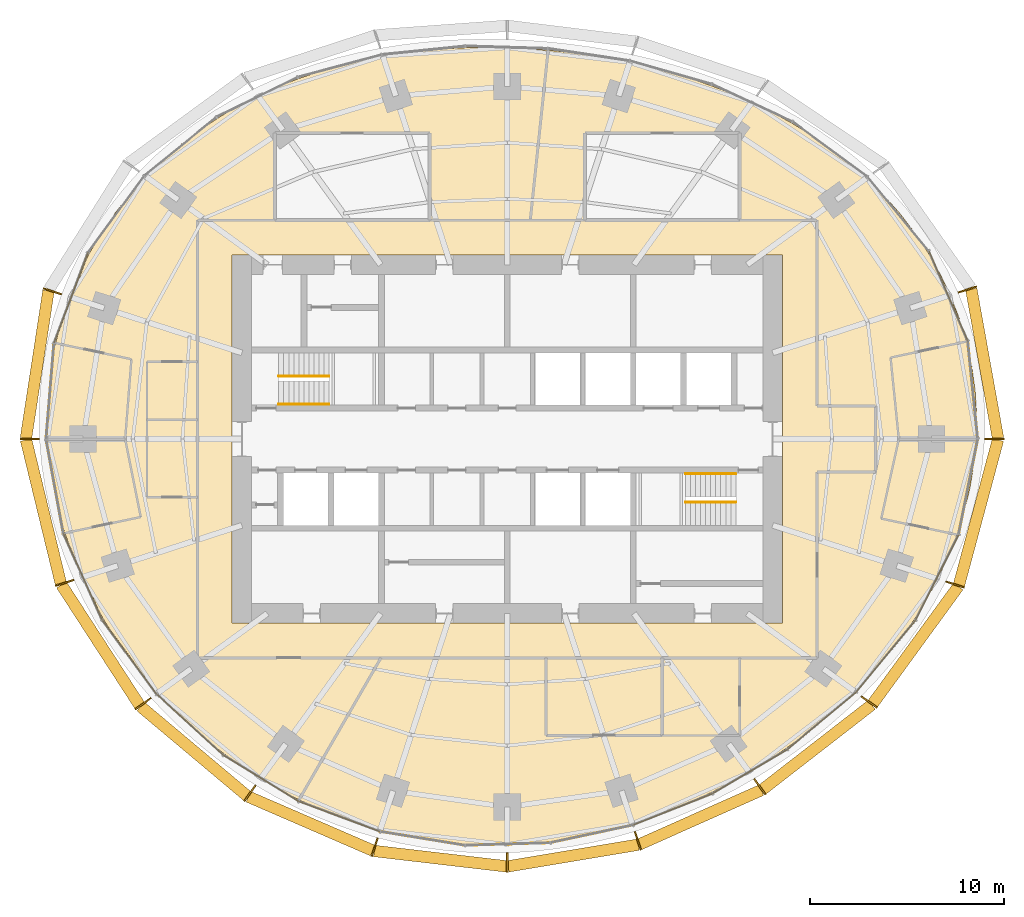
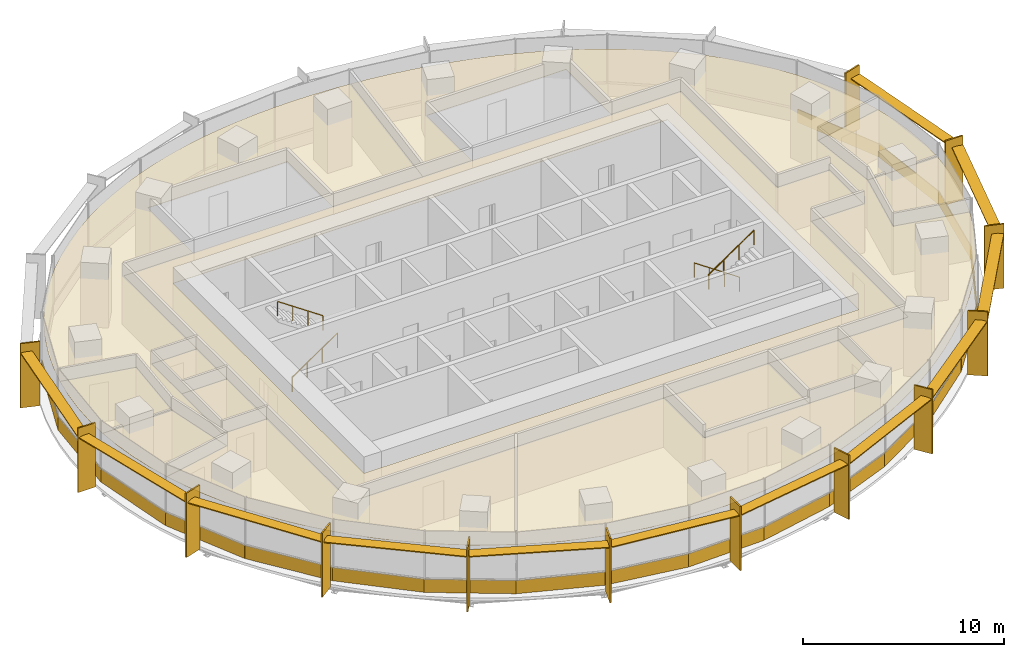
# One storey, part 13 of 14: 30 coverings, 25 shading devices, 4 railings.
"""IFC4 building model written with IfcOpenShell, lengths in metres."""

from ifc_helpers import new_model, si_unit, direction, frame, origin, origin_2d, place, context, subcontext, project, spatial, polyline, rectangle, circle, outline, extrude, material, layer, layer_set, type_object, element, save


model = new_model("IFC4")

# Units and contexts
model_context = context("Model", 3, precision=1e-05, world=origin(), true_north=direction((0.0, 1.0)))
body_context = subcontext(model_context, "Body", "Model", "MODEL_VIEW")
ifc_project = project(units=[si_unit("LENGTHUNIT", "METRE"), si_unit("AREAUNIT", "SQUARE_METRE"), si_unit("VOLUMEUNIT", "CUBIC_METRE"), si_unit("PLANEANGLEUNIT", "RADIAN"), si_unit("MASSUNIT", "GRAM", prefix="KILO")], contexts=[model_context])

# Site, building, storey
site_placement = place(None, origin())
site = spatial("IfcSite", under=ifc_project, at=site_placement, CompositionType="ELEMENT")
building_placement = place(site_placement, origin())
building = spatial("IfcBuilding", under=site, at=building_placement, Name="Marramba Exchange Tower", CompositionType="ELEMENT")
storey_placement = place(building_placement, frame((0.0, 0.0, 176.0)))
storey = spatial("IfcBuildingStorey", under=building, at=storey_placement, Name="L42", CompositionType="ELEMENT", Elevation=176.0)

# Shading devices
ifc_material_1 = material(Name="Aluminium blade, timber-look bronze finish", Category="wood")
ifc_layer_1 = layer(ifc_material_1, 0.080078125)
ifc_layer_set_1 = layer_set([ifc_layer_1], Name="Floor-edge blade 1000x80")
shading_device_type_1 = type_object("IfcShadingDeviceType", Name="Floor-edge blade 1000x80", PredefinedType="USERDEFINED", material=ifc_layer_set_1)
for number, where, z_axis, x_axis, name in (
    (1, (25.14404296875, 0.0, -0.159912109375), (0.0, 0.0, 1.0), (1.0, 0.0, 0.0), "Floor-edge blade FB1 L42 TC01"),
    (2, (23.757080078125, 7.718994140625, -0.159912109375), (0.0, 0.0, 1.0), (0.951056516295, 0.309016994375, 0.0), "Floor-edge blade FB1 L42 TC02"),
    (3, (-23.488525390625, 7.6318359375, -0.159912109375), (0.0, 0.0, 1.0), (-0.951056516295, 0.309016994375, 0.0), "Floor-edge blade FB1 L42 TC10"),
    (4, (-24.656005859375, 0.0, -0.159912109375), (0.0, 0.0, 1.0), (-1.0, 0.0, 0.0), "Floor-edge blade FB1 L42 TC11"),
    (5, (-22.848876953125, -7.424072265625, -0.159912109375), (0.0, 0.0, 1.0), (-0.951056516295, -0.309016994375, 0.0), "Floor-edge blade FB1 L42 TC12"),
    (6, (-18.7998046875, -13.658935546875, -0.159912109375), (0.0, 0.0, 1.0), (-0.809016994375, -0.587785252292, 0.0), "Floor-edge blade FB1 L42 TC13"),
    (7, (-13.2841796875, -18.2841796875, -0.159912109375), (0.0, 0.0, 1.0), (-0.587785252292, -0.809016994375, 0.0), "Floor-edge blade FB1 L42 TC14"),
    (8, (-6.845703125, -21.069091796875, -0.159912109375), (0.0, 0.0, 1.0), (-0.309016994375, -0.951056516295, 0.0), "Floor-edge blade FB1 L42 TC15"),
    (9, (0.0, -21.86376953125, -0.159912109375), (0.0, 0.0, 1.0), (0.0, -1.0, 0.0), "Floor-edge blade FB1 L42 TC16"),
    (10, (6.739501953125, -20.741943359375, -0.159912109375), (0.0, 0.0, 1.0), (0.309016994375, -0.951056516295, 0.0), "Floor-edge blade FB1 L42 TC17"),
    (11, (13.0380859375, -17.9453125, -0.159912109375), (0.0, 0.0, 1.0), (0.587785252292, -0.809016994375, 0.0), "Floor-edge blade FB1 L42 TC18"),
    (12, (18.6845703125, -13.5751953125, -0.159912109375), (0.0, 0.0, 1.0), (0.809016994375, -0.587785252292, 0.0), "Floor-edge blade FB1 L42 TC19"),
    (13, (23.1171875, -7.51123046875, -0.159912109375), (0.0, 0.0, 1.0), (0.951056516295, -0.309016994375, 0.0), "Floor-edge blade FB1 L42 TC20"),
):
    element("IfcShadingDevice", number, at=place(storey_placement, frame(where, z_axis=z_axis, x_axis=x_axis)), inside=storey, type_object=shading_device_type_1, Name=name, ObjectType="FIN", PredefinedType="USERDEFINED", context=body_context, shape_type="SweptSolid", body=[
        extrude(rectangle(XDim=1.0, YDim=0.080078125, at=origin_2d()), origin(), (0.0, 0.0, 1.0), 3.89990234375),
    ])
ifc_material_2 = material(Name="Aluminium sunshade, bronze anodised", Category="aluminium")
ifc_layer_2 = layer(ifc_material_2, 0.06005859375)
ifc_layer_set_2 = layer_set([ifc_layer_2], Name="SUNSHADE blade 600x60")
shading_device_type_2 = type_object("IfcShadingDeviceType", Name="SUNSHADE blade 600x60", PredefinedType="USERDEFINED", material=ifc_layer_set_2)
shading_device_1_placement = place(storey_placement, frame((24.6455078125, 3.890380859375, 3.159912109375), z_axis=(0.0, 0.0, 1.0), x_axis=(-0.176690623809, 0.984266439262, 0.0)))
element("IfcShadingDevice", 14, at=shading_device_1_placement, inside=storey, type_object=shading_device_type_2, Name="Sunshade SS1 L42 bay 01", ObjectType="SUNSHADE", PredefinedType="USERDEFINED", context=body_context, shape_type="SweptSolid", body=[
    extrude(rectangle(XDim=7.8251953125, YDim=0.60009765625, at=origin_2d()), origin(), (0.0, 0.0, 1.0), 0.06005859375),
])
shading_device_2_placement = place(storey_placement, frame((-24.267333984375, 3.846923828125, 3.159912109375), z_axis=(0.0, 0.0, 1.0), x_axis=(-0.151240669327, -0.988496970123, 0.0)))
element("IfcShadingDevice", 15, at=shading_device_2_placement, inside=storey, type_object=shading_device_type_2, Name="Sunshade SS1 L42 bay 10", ObjectType="SUNSHADE", PredefinedType="USERDEFINED", context=body_context, shape_type="SweptSolid", body=[
    extrude(rectangle(XDim=7.703369140625, YDim=0.60009765625, at=origin_2d()), origin(), (0.0, 0.0, 1.0), 0.06005859375),
])
shading_device_3_placement = place(storey_placement, frame((-23.947509765625, -3.742919921875, 3.159912109375), z_axis=(0.0, 0.0, 1.0), x_axis=(0.235861488454, -0.971786683519, 0.0)))
element("IfcShadingDevice", 16, at=shading_device_3_placement, inside=storey, type_object=shading_device_type_2, Name="Sunshade SS1 L42 bay 11", ObjectType="SUNSHADE", PredefinedType="USERDEFINED", context=body_context, shape_type="SweptSolid", body=[
    extrude(rectangle(XDim=7.623291015625, YDim=0.60009765625, at=origin_2d()), origin(), (0.0, 0.0, 1.0), 0.06005859375),
])
shading_device_4_placement = place(storey_placement, frame((-21.000244140625, -10.631103515625, 3.159912109375), z_axis=(0.0, 0.0, 1.0), x_axis=(0.543921771105, -0.839135928749, 0.0)))
element("IfcShadingDevice", 17, at=shading_device_4_placement, inside=storey, type_object=shading_device_type_2, Name="Sunshade SS1 L42 bay 12", ObjectType="SUNSHADE", PredefinedType="USERDEFINED", context=body_context, shape_type="SweptSolid", body=[
    extrude(rectangle(XDim=7.41650390625, YDim=0.60009765625, at=origin_2d()), origin(), (0.0, 0.0, 1.0), 0.06005859375),
])
shading_device_5_placement = place(storey_placement, frame((-16.181640625, -16.111083984375, 3.159912109375), z_axis=(0.0, 0.0, 1.0), x_axis=(0.765761970568, -0.643124097225, 0.0)))
element("IfcShadingDevice", 18, at=shading_device_5_placement, inside=storey, type_object=shading_device_type_2, Name="Sunshade SS1 L42 bay 13", ObjectType="SUNSHADE", PredefinedType="USERDEFINED", context=body_context, shape_type="SweptSolid", body=[
    extrude(rectangle(XDim=7.1806640625, YDim=0.60009765625, at=origin_2d()), origin(), (0.0, 0.0, 1.0), 0.06005859375),
])
shading_device_6_placement = place(storey_placement, frame((-10.154541015625, -19.8525390625, 3.159912109375), z_axis=(0.0, 0.0, 1.0), x_axis=(0.917589256742, -0.397529817639, 0.0)))
element("IfcShadingDevice", 19, at=shading_device_6_placement, inside=storey, type_object=shading_device_type_2, Name="Sunshade SS1 L42 bay 14", ObjectType="SUNSHADE", PredefinedType="USERDEFINED", context=body_context, shape_type="SweptSolid", body=[
    extrude(rectangle(XDim=6.997314453125, YDim=0.60009765625, at=origin_2d()), origin(), (0.0, 0.0, 1.0), 0.06005859375),
])
shading_device_7_placement = place(storey_placement, frame((-3.453857421875, -21.66162109375, 3.159912109375), z_axis=(0.0, 0.0, 1.0), x_axis=(0.993288257497, -0.1156651958, 0.0)))
element("IfcShadingDevice", 20, at=shading_device_7_placement, inside=storey, type_object=shading_device_type_2, Name="Sunshade SS1 L42 bay 15", ObjectType="SUNSHADE", PredefinedType="USERDEFINED", context=body_context, shape_type="SweptSolid", body=[
    extrude(rectangle(XDim=6.874267578125, YDim=0.60009765625, at=origin_2d()), origin(), (0.0, 0.0, 1.0), 0.06005859375),
])
shading_device_8_placement = place(storey_placement, frame((3.400634765625, -21.498046875, 3.159912109375), z_axis=(0.0, 0.0, 1.0), x_axis=(0.986439622954, 0.164124557168, 0.0)))
element("IfcShadingDevice", 21, at=shading_device_8_placement, inside=storey, type_object=shading_device_type_2, Name="Sunshade SS1 L42 bay 16", ObjectType="SUNSHADE", PredefinedType="USERDEFINED", context=body_context, shape_type="SweptSolid", body=[
    extrude(rectangle(XDim=6.814697265625, YDim=0.60009765625, at=origin_2d()), origin(), (0.0, 0.0, 1.0), 0.06005859375),
])
shading_device_9_placement = place(storey_placement, frame((9.978515625, -19.519775390625, 3.159912109375), z_axis=(0.0, 0.0, 1.0), x_axis=(0.913771678576, 0.406228161792, 0.0)))
element("IfcShadingDevice", 22, at=shading_device_9_placement, inside=storey, type_object=shading_device_type_2, Name="Sunshade SS1 L42 bay 17", ObjectType="SUNSHADE", PredefinedType="USERDEFINED", context=body_context, shape_type="SweptSolid", body=[
    extrude(rectangle(XDim=6.8740234375, YDim=0.60009765625, at=origin_2d()), origin(), (0.0, 0.0, 1.0), 0.06005859375),
])
shading_device_10_placement = place(storey_placement, frame((16.0009765625, -15.89990234375, 3.159912109375), z_axis=(0.0, 0.0, 1.0), x_axis=(0.790133082515, 0.612935324414, 0.0)))
element("IfcShadingDevice", 23, at=shading_device_10_placement, inside=storey, type_object=shading_device_type_2, Name="Sunshade SS1 L42 bay 18", ObjectType="SUNSHADE", PredefinedType="USERDEFINED", context=body_context, shape_type="SweptSolid", body=[
    extrude(rectangle(XDim=7.122314453125, YDim=0.60009765625, at=origin_2d()), origin(), (0.0, 0.0, 1.0), 0.06005859375),
])
shading_device_11_placement = place(storey_placement, frame((21.076904296875, -10.6328125, 3.159912109375), z_axis=(0.0, 0.0, 1.0), x_axis=(0.589071758439, 0.808080728275, 0.0)))
element("IfcShadingDevice", 24, at=shading_device_11_placement, inside=storey, type_object=shading_device_type_2, Name="Sunshade SS1 L42 bay 19", ObjectType="SUNSHADE", PredefinedType="USERDEFINED", context=body_context, shape_type="SweptSolid", body=[
    extrude(rectangle(XDim=7.4931640625, YDim=0.60009765625, at=origin_2d()), origin(), (0.0, 0.0, 1.0), 0.06005859375),
])
shading_device_12_placement = place(storey_placement, frame((24.32568359375, -3.78662109375, 3.159912109375), z_axis=(0.0, 0.0, 1.0), x_axis=(0.259692365654, 0.965691397508, 0.0)))
element("IfcShadingDevice", 25, at=shading_device_12_placement, inside=storey, type_object=shading_device_type_2, Name="Sunshade SS1 L42 bay 20", ObjectType="SUNSHADE", PredefinedType="USERDEFINED", context=body_context, shape_type="SweptSolid", body=[
    extrude(rectangle(XDim=7.76220703125, YDim=0.60009765625, at=origin_2d()), origin(), (0.0, 0.0, 1.0), 0.06005859375),
])

# Coverings
ifc_material_3 = material(Name="Aluminium spandrel panel, bronze anodised, insulated", Category="aluminium")
ifc_layer_3 = layer(ifc_material_3, 0.050048828125)
ifc_layer_set_3 = layer_set([ifc_layer_3], Name="Spandrel panel 800")
covering_type_1 = type_object("IfcCoveringType", Name="Spandrel panel 800", PredefinedType="CLADDING", material=ifc_layer_set_3)
covering_1_placement = place(storey_placement, frame((24.036376953125, 2.527099609375, 0.0), z_axis=(0.0, 0.0, 1.0), x_axis=(-0.101422478545, 0.994843445395, 0.0)))
element("IfcCovering", 26, at=covering_1_placement, inside=storey, type_object=covering_type_1, Name="Spandrel panel SP1 L42 F01", PredefinedType="CLADDING", context=body_context, shape_type="SweptSolid", body=[
    extrude(rectangle(XDim=5.08056640625, YDim=0.050048828125, at=origin_2d()), origin(), (0.0, 0.0, 1.0), 0.800048828125),
])
covering_2_placement = place(storey_placement, frame((22.77734375, 7.374755859375, 0.0), z_axis=(0.0, 0.0, 1.0), x_axis=(-0.396193349205, 0.918167103552, 0.0)))
element("IfcCovering", 27, at=covering_2_placement, inside=storey, type_object=covering_type_1, Name="Spandrel panel SP1 L42 F02", PredefinedType="CLADDING", context=body_context, shape_type="SweptSolid", body=[
    extrude(rectangle(XDim=5.0546875, YDim=0.050048828125, at=origin_2d()), origin(), (0.0, 0.0, 1.0), 0.800048828125),
])
covering_3_placement = place(storey_placement, frame((-22.518798828125, 7.30419921875, 0.0), z_axis=(0.0, 0.0, 1.0), x_axis=(-0.351951514464, -0.936018232443, 0.0)))
element("IfcCovering", 28, at=covering_3_placement, inside=storey, type_object=covering_type_1, Name="Spandrel panel SP1 L42 F14", PredefinedType="CLADDING", context=body_context, shape_type="SweptSolid", body=[
    extrude(rectangle(XDim=4.981689453125, YDim=0.050048828125, at=origin_2d()), origin(), (0.0, 0.0, 1.0), 0.800048828125),
])
covering_4_placement = place(storey_placement, frame((-23.600830078125, 2.486328125, 0.0), z_axis=(0.0, 0.0, 1.0), x_axis=(-0.082280881776, -0.996609179415, 0.0)))
element("IfcCovering", 29, at=covering_4_placement, inside=storey, type_object=covering_type_1, Name="Spandrel panel SP1 L42 F15", PredefinedType="CLADDING", context=body_context, shape_type="SweptSolid", body=[
    extrude(rectangle(XDim=4.98974609375, YDim=0.050048828125, at=origin_2d()), origin(), (0.0, 0.0, 1.0), 0.800048828125),
])
covering_5_placement = place(storey_placement, frame((-23.359619140625, -2.43505859375, 0.0), z_axis=(0.0, 0.0, 1.0), x_axis=(0.180327442841, -0.983606635479, 0.0)))
element("IfcCovering", 30, at=covering_5_placement, inside=storey, type_object=covering_type_1, Name="Spandrel panel SP1 L42 F16", PredefinedType="CLADDING", context=body_context, shape_type="SweptSolid", body=[
    extrude(rectangle(XDim=4.951416015625, YDim=0.050048828125, at=origin_2d()), origin(), (0.0, 0.0, 1.0), 0.800048828125),
])
covering_6_placement = place(storey_placement, frame((-21.920654296875, -7.093994140625, 0.0), z_axis=(0.0, 0.0, 1.0), x_axis=(0.407557582153, -0.913179509861, 0.0)))
element("IfcCovering", 31, at=covering_6_placement, inside=storey, type_object=covering_type_1, Name="Spandrel panel SP1 L42 F17", PredefinedType="CLADDING", context=body_context, shape_type="SweptSolid", body=[
    extrude(rectangle(XDim=4.870361328125, YDim=0.050048828125, at=origin_2d()), origin(), (0.0, 0.0, 1.0), 0.800048828125),
])
covering_7_placement = place(storey_placement, frame((-19.520263671875, -11.238525390625, 0.0), z_axis=(0.0, 0.0, 1.0), x_axis=(0.591223097085, -0.80650805915, 0.0)))
element("IfcCovering", 32, at=covering_7_placement, inside=storey, type_object=covering_type_1, Name="Spandrel panel SP1 L42 F18", PredefinedType="CLADDING", context=body_context, shape_type="SweptSolid", body=[
    extrude(rectangle(XDim=4.762939453125, YDim=0.050048828125, at=origin_2d()), origin(), (0.0, 0.0, 1.0), 0.800048828125),
])
covering_8_placement = place(storey_placement, frame((-16.396240234375, -14.73193359375, 0.0), z_axis=(0.0, 0.0, 1.0), x_axis=(0.737203259599, -0.67567103981, 0.0)))
element("IfcCovering", 33, at=covering_8_placement, inside=storey, type_object=covering_type_1, Name="Spandrel panel SP1 L42 F19", PredefinedType="CLADDING", context=body_context, shape_type="SweptSolid", body=[
    extrude(rectangle(XDim=4.65478515625, YDim=0.050048828125, at=origin_2d()), origin(), (0.0, 0.0, 1.0), 0.800048828125),
])
covering_9_placement = place(storey_placement, frame((-12.73583984375, -17.497802734375, 0.0), z_axis=(0.0, 0.0, 1.0), x_axis=(0.852301010692, -0.52305161043, 0.0)))
element("IfcCovering", 34, at=covering_9_placement, inside=storey, type_object=covering_type_1, Name="Spandrel panel SP1 L42 F20", PredefinedType="CLADDING", context=body_context, shape_type="SweptSolid", body=[
    extrude(rectangle(XDim=4.563232421875, YDim=0.050048828125, at=origin_2d()), origin(), (0.0, 0.0, 1.0), 0.800048828125),
])
covering_10_placement = place(storey_placement, frame((-8.687255859375, -19.47607421875, 0.0), z_axis=(0.0, 0.0, 1.0), x_axis=(0.936951581946, -0.349459200892, 0.0)))
element("IfcCovering", 35, at=covering_10_placement, inside=storey, type_object=covering_type_1, Name="Spandrel panel SP1 L42 F21", PredefinedType="CLADDING", context=body_context, shape_type="SweptSolid", body=[
    extrude(rectangle(XDim=4.491455078125, YDim=0.050048828125, at=origin_2d()), origin(), (0.0, 0.0, 1.0), 0.800048828125),
])
covering_11_placement = place(storey_placement, frame((-4.393798828125, -20.6181640625, 0.0), z_axis=(0.0, 0.0, 1.0), x_axis=(0.98693062179, -0.161145734582, 0.0)))
element("IfcCovering", 36, at=covering_11_placement, inside=storey, type_object=covering_type_1, Name="Spandrel panel SP1 L42 F22", PredefinedType="CLADDING", context=body_context, shape_type="SweptSolid", body=[
    extrude(rectangle(XDim=4.4365234375, YDim=0.050048828125, at=origin_2d()), origin(), (0.0, 0.0, 1.0), 0.800048828125),
])
covering_12_placement = place(storey_placement, frame((-0.0068359375, -20.9111328125, 0.0), z_axis=(0.0, 0.0, 1.0), x_axis=(0.99956791932, 0.02939344597, 0.0)))
element("IfcCovering", 37, at=covering_12_placement, inside=storey, type_object=covering_type_1, Name="Spandrel panel SP1 L42 F23", PredefinedType="CLADDING", context=body_context, shape_type="SweptSolid", body=[
    extrude(rectangle(XDim=4.3974609375, YDim=0.050048828125, at=origin_2d()), origin(), (0.0, 0.0, 1.0), 0.800048828125),
])
covering_13_placement = place(storey_placement, frame((4.333984375, -20.389892578125, 0.0), z_axis=(0.0, 0.0, 1.0), x_axis=(0.978058068956, 0.208332459664, 0.0)))
element("IfcCovering", 38, at=covering_13_placement, inside=storey, type_object=covering_type_1, Name="Spandrel panel SP1 L42 F24", PredefinedType="CLADDING", context=body_context, shape_type="SweptSolid", body=[
    extrude(rectangle(XDim=4.3818359375, YDim=0.050048828125, at=origin_2d()), origin(), (0.0, 0.0, 1.0), 0.800048828125),
])
covering_14_placement = place(storey_placement, frame((8.525390625, -19.124267578125, 0.0), z_axis=(0.0, 0.0, 1.0), x_axis=(0.93007301151, 0.367374731386, 0.0)))
element("IfcCovering", 39, at=covering_14_placement, inside=storey, type_object=covering_type_1, Name="Spandrel panel SP1 L42 F25", PredefinedType="CLADDING", context=body_context, shape_type="SweptSolid", body=[
    extrude(rectangle(XDim=4.405517578125, YDim=0.050048828125, at=origin_2d()), origin(), (0.0, 0.0, 1.0), 0.800048828125),
])
covering_15_placement = place(storey_placement, frame((12.50634765625, -17.175537109375, 0.0), z_axis=(0.0, 0.0, 1.0), x_axis=(0.861350829898, 0.508010578466, 0.0)))
element("IfcCovering", 40, at=covering_15_placement, inside=storey, type_object=covering_type_1, Name="Spandrel panel SP1 L42 F26", PredefinedType="CLADDING", context=body_context, shape_type="SweptSolid", body=[
    extrude(rectangle(XDim=4.486572265625, YDim=0.050048828125, at=origin_2d()), origin(), (0.0, 0.0, 1.0), 0.800048828125),
])
covering_16_placement = place(storey_placement, frame((16.2177734375, -14.5556640625, 0.0), z_axis=(0.0, 0.0, 1.0), x_axis=(0.768736803132, 0.639565264465, 0.0)))
element("IfcCovering", 41, at=covering_16_placement, inside=storey, type_object=covering_type_1, Name="Spandrel panel SP1 L42 F27", PredefinedType="CLADDING", context=body_context, shape_type="SweptSolid", body=[
    extrude(rectangle(XDim=4.628662109375, YDim=0.050048828125, at=origin_2d()), origin(), (0.0, 0.0, 1.0), 0.800048828125),
])
covering_17_placement = place(storey_placement, frame((19.529541015625, -11.2265625, 0.0), z_axis=(0.0, 0.0, 1.0), x_axis=(0.638149992226, 0.769912064733, 0.0)))
element("IfcCovering", 42, at=covering_17_placement, inside=storey, type_object=covering_type_1, Name="Spandrel panel SP1 L42 F28", PredefinedType="CLADDING", context=body_context, shape_type="SweptSolid", body=[
    extrude(rectangle(XDim=4.80322265625, YDim=0.050048828125, at=origin_2d()), origin(), (0.0, 0.0, 1.0), 0.800048828125),
])
covering_18_placement = place(storey_placement, frame((22.17919921875, -7.16455078125, 0.0), z_axis=(0.0, 0.0, 1.0), x_axis=(0.450673091404, 0.892689063832, 0.0)))
element("IfcCovering", 43, at=covering_18_placement, inside=storey, type_object=covering_type_1, Name="Spandrel panel SP1 L42 F29", PredefinedType="CLADDING", context=body_context, shape_type="SweptSolid", body=[
    extrude(rectangle(XDim=4.957763671875, YDim=0.050048828125, at=origin_2d()), origin(), (0.0, 0.0, 1.0), 0.800048828125),
])
covering_19_placement = place(storey_placement, frame((23.795166015625, -2.475830078125, 0.0), z_axis=(0.0, 0.0, 1.0), x_axis=(0.197495401381, 0.980303813332, 0.0)))
element("IfcCovering", 44, at=covering_19_placement, inside=storey, type_object=covering_type_1, Name="Spandrel panel SP1 L42 F30", PredefinedType="CLADDING", context=body_context, shape_type="SweptSolid", body=[
    extrude(rectangle(XDim=5.05126953125, YDim=0.050048828125, at=origin_2d()), origin(), (0.0, 0.0, 1.0), 0.800048828125),
])

# Railings
ifc_material_4 = material(Name="Stainless steel handrail", Category="steel")
railing_type = type_object("IfcRailingType", Name="Stair handrail 900", PredefinedType="HANDRAIL", material=ifc_material_4)
railing_1_placement = place(storey_placement, frame((-11.800048828125, 1.800048828125, 0.17724609375)))
element("IfcRailing", 45, at=railing_1_placement, inside=storey, type_object=railing_type, Name="Handrail HR1 ST1 L42 flight 1", PredefinedType="HANDRAIL", context=body_context, shape_type="SweptSolid", body=[
    extrude(circle(Radius=0.02392578125, at=origin_2d()), frame((0.0, 0.0, 0.8759765625), z_axis=(0.826240473404, 0.0, 0.563317565952), x_axis=(0.0, 1.0, 0.0)), (0.0, 0.0, 1.0), 3.14697265625),
    extrude(circle(Radius=0.02099609375, at=origin_2d()), origin(), (0.0, 0.0, 1.0), 0.851806640625),
    extrude(circle(Radius=0.02099609375, at=origin_2d()), frame((0.86669921875, 0.0, 0.5908203125)), (0.0, 0.0, 1.0), 0.851806640625),
    extrude(circle(Radius=0.02099609375, at=origin_2d()), frame((1.7333984375, 0.0, 1.181884765625)), (0.0, 0.0, 1.0), 0.851806640625),
    extrude(circle(Radius=0.02099609375, at=origin_2d()), frame((2.60009765625, 0.0, 1.772705078125)), (0.0, 0.0, 1.0), 0.851806640625),
])
for number, where, name in (
    (46, (-9.199951171875, 3.25, 2.127197265625), "Handrail HR1 ST1 L42 flight 2"),
    (47, (11.800048828125, -1.800048828125, 0.17724609375), "Handrail HR1 ST2 L42 flight 1"),
):
    element("IfcRailing", number, at=place(storey_placement, frame(where)), inside=storey, type_object=railing_type, Name=name, PredefinedType="HANDRAIL", context=body_context, shape_type="SweptSolid", body=[
        extrude(circle(Radius=0.02392578125, at=origin_2d()), frame((0.0, 0.0, 0.8759765625), z_axis=(-0.826240473404, 0.0, 0.563317565952), x_axis=(0.0, -1.0, 0.0)), (0.0, 0.0, 1.0), 3.14697265625),
        extrude(circle(Radius=0.02099609375, at=origin_2d()), origin(), (0.0, 0.0, 1.0), 0.851806640625),
        extrude(circle(Radius=0.02099609375, at=origin_2d()), frame((-0.86669921875, 0.0, 0.5908203125)), (0.0, 0.0, 1.0), 0.851806640625),
        extrude(circle(Radius=0.02099609375, at=origin_2d()), frame((-1.7333984375, 0.0, 1.181884765625)), (0.0, 0.0, 1.0), 0.851806640625),
        extrude(circle(Radius=0.02099609375, at=origin_2d()), frame((-2.60009765625, 0.0, 1.772705078125)), (0.0, 0.0, 1.0), 0.851806640625),
    ])
railing_2_placement = place(storey_placement, frame((9.199951171875, -3.25, 2.127197265625)))
element("IfcRailing", 48, at=railing_2_placement, inside=storey, type_object=railing_type, Name="Handrail HR1 ST2 L42 flight 2", PredefinedType="HANDRAIL", context=body_context, shape_type="SweptSolid", body=[
    extrude(circle(Radius=0.02392578125, at=origin_2d()), frame((0.0, 0.0, 0.8759765625), z_axis=(0.826240473404, 0.0, 0.563317565952), x_axis=(0.0, 1.0, 0.0)), (0.0, 0.0, 1.0), 3.14697265625),
    extrude(circle(Radius=0.02099609375, at=origin_2d()), origin(), (0.0, 0.0, 1.0), 0.851806640625),
    extrude(circle(Radius=0.02099609375, at=origin_2d()), frame((0.86669921875, 0.0, 0.5908203125)), (0.0, 0.0, 1.0), 0.851806640625),
    extrude(circle(Radius=0.02099609375, at=origin_2d()), frame((1.7333984375, 0.0, 1.181884765625)), (0.0, 0.0, 1.0), 0.851806640625),
    extrude(circle(Radius=0.02099609375, at=origin_2d()), frame((2.60009765625, 0.0, 1.772705078125)), (0.0, 0.0, 1.0), 0.851806640625),
])

# Coverings
ifc_material_5 = material(Name="Mineral fibre ceiling tiles", Category="gypsum")
ifc_layer_4 = layer(ifc_material_5, 0.02001953125)
ifc_layer_set_4 = layer_set([ifc_layer_4], Name="Suspended ceiling 20")
covering_type_2 = type_object("IfcCoveringType", Name="Suspended ceiling 20", PredefinedType="CEILING", material=ifc_layer_set_4)
covering_20_placement = place(storey_placement, frame((0.0, 0.0, 2.89990234375)))
element("IfcCovering", 49, at=covering_20_placement, inside=storey, type_object=covering_type_2, Name="Ceiling CL1 L42 Open Plan Office 1", PredefinedType="CEILING", context=body_context, shape_type="SweptSolid", body=[
    extrude(outline(polyline([(16.0, -1.699951171875), (19.0, -1.699951171875), (19.0, 1.699951171875), (16.0, 1.699951171875), (16.0, 11.300048828125), (12.0, 11.300048828125), (12.0, 15.800048828125), (4.0, 15.800048828125), (4.0, 11.300048828125), (1.187744140625, 11.300048828125), (2.1103515625, 20.077880859375), (3.16259765625, 19.96728515625), (4.214111328125, 19.82568359375), (5.265869140625, 19.65234375), (6.318359375, 19.445556640625), (7.371826171875, 19.2041015625), (8.426025390625, 18.92529296875), (9.480712890625, 18.60693359375), (10.5341796875, 18.245849609375), (11.584716796875, 17.839111328125), (12.6298828125, 17.383544921875), (13.666259765625, 16.87646484375), (14.689453125, 16.314453125), (15.695068359375, 15.695068359375), (16.67724609375, 15.016357421875), (17.6298828125, 14.276611328125), (18.54638671875, 13.474853515625), (19.41943359375, 12.611083984375), (20.24169921875, 11.6865234375), (21.00537109375, 10.70263671875), (21.702880859375, 9.662841796875), (22.32763671875, 8.57080078125), (22.87255859375, 7.431640625), (23.331787109375, 6.251708984375), (23.700439453125, 5.03759765625), (19.787841796875, 4.2060546875), (20.214111328125, 0.0), (19.3056640625, -4.103515625), (23.218017578125, -4.935302734375), (22.760986328125, -6.098876953125), (22.23291015625, -7.223876953125), (21.639892578125, -8.306884765625), (20.989013671875, -9.344970703125), (20.286865234375, -10.336669921875), (19.539794921875, -11.28125), (18.753173828125, -12.178466796875), (17.93212890625, -13.028564453125), (17.08154296875, -13.832275390625), (16.204833984375, -14.5908203125), (15.30517578125, -15.30517578125), (14.38525390625, -15.976318359375), (13.44677734375, -16.60546875), (12.491455078125, -17.193115234375), (11.520263671875, -17.73974609375), (10.5341796875, -18.245849609375), (9.53369140625, -18.711181640625), (8.51953125, -19.13525390625), (7.4921875, -19.517578125), (6.4521484375, -19.857421875), (5.400146484375, -20.153564453125), (4.337158203125, -20.404541015625), (3.26416015625, -20.609619140625), (2.1826171875, -20.766845703125), (1.093994140625, -20.875244140625), (0.0, -20.93359375), (-1.097412109375, -20.94091796875), (-2.1962890625, -20.89599609375), (-3.294189453125, -20.79833984375), (-4.388916015625, -20.6474609375), (-5.477783203125, -20.44287109375), (-6.558349609375, -20.184814453125), (-7.62841796875, -19.873046875), (-8.685546875, -19.50830078125), (-9.727294921875, -19.091064453125), (-10.75146484375, -18.621826171875), (-6.524169921875, -11.300048828125), (2.0, -11.300048828125), (2.0, -15.300048828125), (8.0, -15.300048828125), (12.0, -15.300048828125), (12.0, -11.300048828125), (16.0, -11.300048828125), (16.0, -1.699951171875)])), origin(), (0.0, 0.0, 1.0), 0.02001953125),
])
covering_21_placement = place(storey_placement, frame((0.0, 0.0, 2.89990234375)))
element("IfcCovering", 50, at=covering_21_placement, inside=storey, type_object=covering_type_2, Name="Ceiling CL1 L42 Open Plan Office 2", PredefinedType="CEILING", context=body_context, shape_type="SweptSolid", body=[
    extrude(outline(polyline([(-16.0, 4.0), (-18.60009765625, 4.0), (-18.60009765625, 1.0), (-18.60009765625, -3.0), (-16.0, -3.0), (-16.0, -11.300048828125), (-6.524169921875, -11.300048828125), (-10.75146484375, -18.621826171875), (-11.755615234375, -18.101806640625), (-12.737548828125, -17.53173828125), (-13.6953125, -16.912353515625), (-14.626953125, -16.2451171875), (-15.5302734375, -15.5302734375), (-16.403076171875, -14.769287109375), (-17.242919921875, -13.962890625), (-18.04736328125, -13.1123046875), (-18.81396484375, -12.218017578125), (-19.539794921875, -11.28125), (-20.22119140625, -10.30322265625), (-20.85498046875, -9.285400390625), (-21.4375, -8.22900390625), (-21.96435546875, -7.13671875), (-22.431640625, -6.010498046875), (-22.8349609375, -4.853759765625), (-18.92236328125, -4.022216796875), (-19.72607421875, 0.0), (-19.404541015625, 4.12451171875), (-23.317138671875, 4.956298828125), (-23.002197265625, 6.163330078125), (-22.604248046875, 7.344482421875), (-22.125244140625, 8.4931640625), (-21.569091796875, 9.603271484375), (-20.939697265625, 10.669189453125), (-20.24169921875, 11.6865234375), (-19.48046875, 12.650634765625), (-18.66162109375, 13.55859375), (-17.79150390625, 14.4072265625), (-16.87548828125, 15.19482421875), (-15.920166015625, 15.920166015625), (-14.931396484375, 16.5830078125), (-13.914794921875, 17.183349609375), (-12.8759765625, 17.722412109375), (-11.820068359375, 18.201171875), (-10.75146484375, 18.621826171875), (-9.67431640625, 18.98681640625), (-8.59228515625, 19.29833984375), (-7.50830078125, 19.559326171875), (-6.424560546875, 19.77294921875), (-5.34326171875, 19.941650390625), (-4.265625, 20.068603515625), (-3.1923828125, 20.15625), (-2.123779296875, 20.20703125), (-1.059814453125, 20.22314453125), (0.0, 20.206298828125), (1.056396484375, 20.15771484375), (2.1103515625, 20.077880859375), (1.187744140625, 11.300048828125), (-4.0, 11.300048828125), (-4.0, 15.800048828125), (-12.0, 15.800048828125), (-12.0, 11.300048828125), (-16.0, 11.300048828125), (-16.0, 4.0)])), origin(), (0.0, 0.0, 1.0), 0.02001953125),
])
covering_22_placement = place(storey_placement, frame((0.0, 0.0, 2.89990234375)))
element("IfcCovering", 51, at=covering_22_placement, inside=storey, type_object=covering_type_2, Name="Ceiling CL1 L42 Corridor", PredefinedType="CEILING", context=body_context, shape_type="SweptSolid", body=[
    extrude(outline(polyline([(19.0, 1.699951171875), (19.0, -1.699951171875), (16.0, -1.699951171875), (16.0, -11.300048828125), (-16.0, -11.300048828125), (-16.0, 11.300048828125), (16.0, 11.300048828125), (16.0, 1.699951171875), (19.0, 1.699951171875)]), holes=[polyline([(14.199951171875, -1.699951171875), (14.199951171875, 1.699951171875), (14.199951171875, 9.5), (-14.199951171875, 9.5), (-14.199951171875, -9.5), (14.199951171875, -9.5), (14.199951171875, -1.699951171875)])]), origin(), (0.0, 0.0, 1.0), 0.02001953125),
])
covering_23_placement = place(storey_placement, frame((0.0, 0.0, 2.89990234375)))
element("IfcCovering", 52, at=covering_23_placement, inside=storey, type_object=covering_type_2, Name="Ceiling CL1 L42 Office 1", PredefinedType="CEILING", context=body_context, shape_type="SweptSolid", body=[
    extrude(outline(polyline([(24.10009765625, -1.262939453125), (23.89306640625, -2.51123046875), (23.800048828125, -2.897705078125), (23.597412109375, -3.737548828125), (23.35009765625, -4.518310546875), (23.218017578125, -4.935302734375), (19.3056640625, -4.103515625), (20.214111328125, 0.0), (24.214111328125, 0.0), (24.10009765625, -1.262939453125)])), origin(), (0.0, 0.0, 1.0), 0.02001953125),
])
covering_24_placement = place(storey_placement, frame((0.0, 0.0, 2.89990234375)))
element("IfcCovering", 53, at=covering_24_placement, inside=storey, type_object=covering_type_2, Name="Ceiling CL1 L42 Office 2", PredefinedType="CEILING", context=body_context, shape_type="SweptSolid", body=[
    extrude(outline(polyline([(23.80322265625, 4.5732421875), (23.974853515625, 3.797119140625), (24.15234375, 2.53857421875), (24.23193359375, 1.27001953125), (24.214111328125, 0.0), (20.214111328125, 0.0), (19.787841796875, 4.2060546875), (23.700439453125, 5.03759765625), (23.80322265625, 4.5732421875)])), origin(), (0.0, 0.0, 1.0), 0.02001953125),
])
covering_25_placement = place(storey_placement, frame((0.0, 0.0, 2.89990234375)))
element("IfcCovering", 54, at=covering_25_placement, inside=storey, type_object=covering_type_2, Name="Ceiling CL1 L42 Office 3", PredefinedType="CEILING", context=body_context, shape_type="SweptSolid", body=[
    extrude(outline(polyline([(-23.7509765625, 1.24462890625), (-23.691650390625, 2.489990234375), (-23.547119140625, 3.7294921875), (-23.406494140625, 4.47998046875), (-23.317138671875, 4.956298828125), (-19.404541015625, 4.12451171875), (-19.72607421875, 0.0), (-23.72607421875, 0.0), (-23.7509765625, 1.24462890625)])), origin(), (0.0, 0.0, 1.0), 0.02001953125),
])
covering_26_placement = place(storey_placement, frame((0.0, 0.0, 2.89990234375)))
element("IfcCovering", 55, at=covering_26_placement, inside=storey, type_object=covering_type_2, Name="Ceiling CL1 L42 Office 4", PredefinedType="CEILING", context=body_context, shape_type="SweptSolid", body=[
    extrude(outline(polyline([(-23.02734375, -4.17333984375), (-23.169921875, -3.669677734375), (-23.432373046875, -2.462890625), (-23.618896484375, -1.23779296875), (-23.72607421875, 0.0), (-19.72607421875, 0.0), (-18.92236328125, -4.022216796875), (-22.8349609375, -4.853759765625), (-23.02734375, -4.17333984375)])), origin(), (0.0, 0.0, 1.0), 0.02001953125),
])
covering_27_placement = place(storey_placement, frame((0.0, 0.0, 2.89990234375)))
element("IfcCovering", 56, at=covering_27_placement, inside=storey, type_object=covering_type_2, Name="Ceiling CL1 L42 Meeting Room 2", PredefinedType="CEILING", context=body_context, shape_type="SweptSolid", body=[
    extrude(outline(polyline([(8.0, -15.300048828125), (2.0, -15.300048828125), (2.0, -11.300048828125), (8.0, -11.300048828125), (8.0, -15.300048828125)])), origin(), (0.0, 0.0, 1.0), 0.02001953125),
])
covering_28_placement = place(storey_placement, frame((0.0, 0.0, 2.89990234375)))
element("IfcCovering", 57, at=covering_28_placement, inside=storey, type_object=covering_type_2, Name="Ceiling CL1 L42 Pantry 1", PredefinedType="CEILING", context=body_context, shape_type="SweptSolid", body=[
    extrude(outline(polyline([(12.0, -15.300048828125), (8.0, -15.300048828125), (8.0, -11.300048828125), (12.0, -11.300048828125), (12.0, -15.300048828125)])), origin(), (0.0, 0.0, 1.0), 0.02001953125),
])
covering_29_placement = place(storey_placement, frame((0.0, 0.0, 2.89990234375)))
element("IfcCovering", 58, at=covering_29_placement, inside=storey, type_object=covering_type_2, Name="Ceiling CL1 L42 Pantry 2", PredefinedType="CEILING", context=body_context, shape_type="SweptSolid", body=[
    extrude(outline(polyline([(-16.0, -3.0), (-18.60009765625, -3.0), (-18.60009765625, 1.0), (-16.0, 1.0), (-16.0, -3.0)])), origin(), (0.0, 0.0, 1.0), 0.02001953125),
])
covering_30_placement = place(storey_placement, frame((0.0, 0.0, 2.89990234375)))
element("IfcCovering", 59, at=covering_30_placement, inside=storey, type_object=covering_type_2, Name="Ceiling CL1 L42 Print Room 1", PredefinedType="CEILING", context=body_context, shape_type="SweptSolid", body=[
    extrude(outline(polyline([(-16.0, 1.0), (-18.60009765625, 1.0), (-18.60009765625, 4.0), (-16.0, 4.0), (-16.0, 1.0)])), origin(), (0.0, 0.0, 1.0), 0.02001953125),
])

save(model, "model.ifc")
